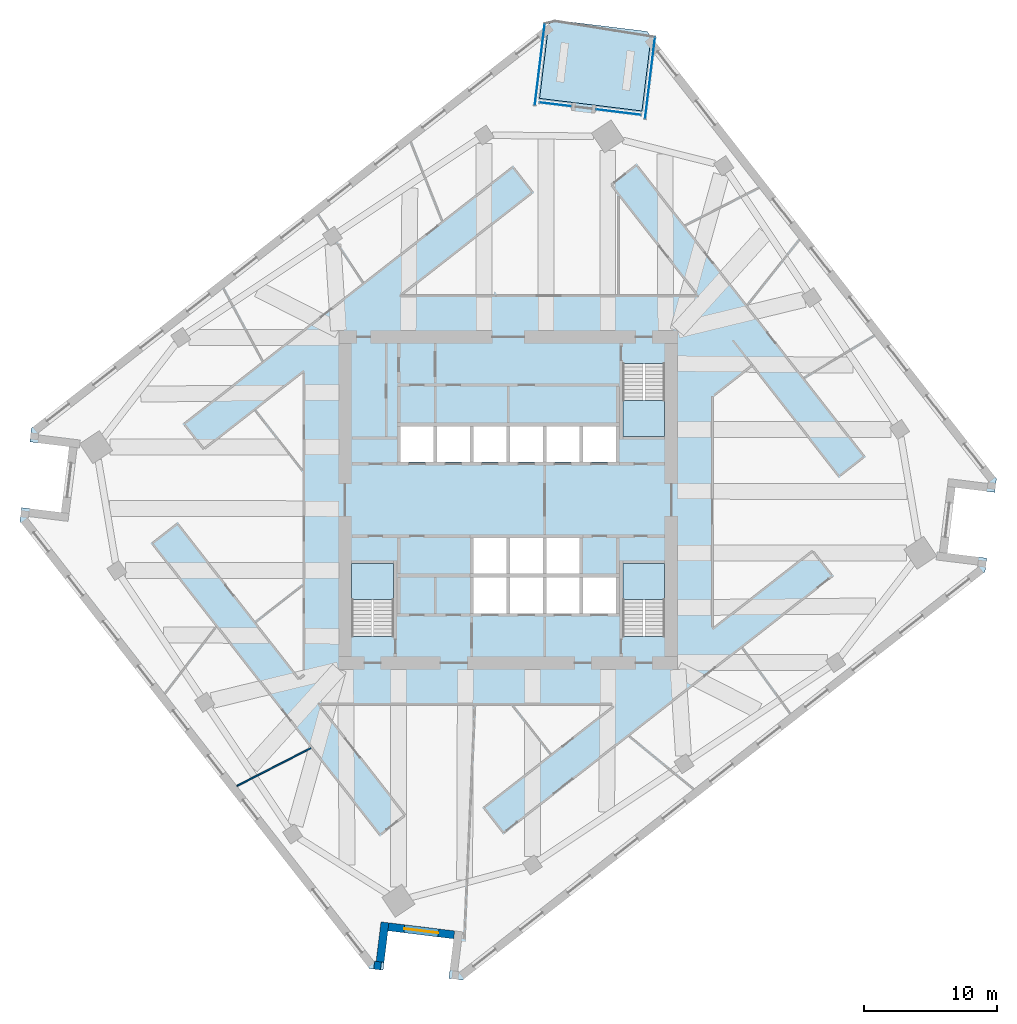
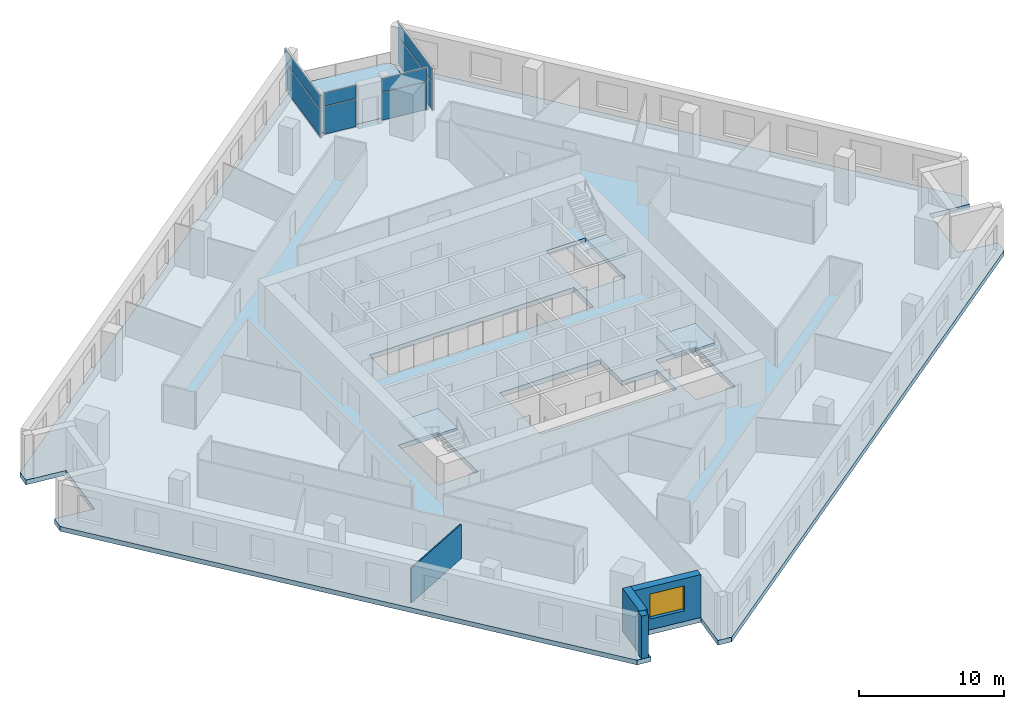
# One storey, part 3 of 11: 8 plates, 5 slabs, 4 walls, 1 window, 1 opening, 7 elements without a shape of their own.
"""IFC4 building model written with IfcOpenShell, lengths in metres."""

from ifc_helpers import new_model, si_unit, direction, frame, frame_2d, origin, origin_2d, place, context, subcontext, project, spatial, polyline, rectangle, outline, extrude, material, layer, layer_set, type_object, element, fill, aggregate, save


model = new_model("IFC4")

# Units and contexts
model_context = context("Model", 3, precision=1e-05, world=origin(), true_north=direction((0.0, 1.0)))
body_context = subcontext(model_context, "Body", "Model", "MODEL_VIEW")
ifc_project = project(units=[si_unit("LENGTHUNIT", "METRE"), si_unit("AREAUNIT", "SQUARE_METRE"), si_unit("VOLUMEUNIT", "CUBIC_METRE"), si_unit("PLANEANGLEUNIT", "RADIAN"), si_unit("MASSUNIT", "GRAM", prefix="KILO")], contexts=[model_context])

# Site, building, storey
site_placement = place(None, origin())
site = spatial("IfcSite", under=ifc_project, at=site_placement, CompositionType="ELEMENT")
building_placement = place(site_placement, origin())
building = spatial("IfcBuilding", under=site, at=building_placement, Name="Dilmun Exchange Tower", CompositionType="ELEMENT")
storey_placement = place(building_placement, frame((0.0, 0.0, 175.699951171875)))
storey = spatial("IfcBuildingStorey", under=building, at=storey_placement, Name="L41", CompositionType="ELEMENT", Elevation=175.699951171875)

# Stair, slab
ifc_material_1 = material(Name="Concrete C40/50", Category="concrete")
stair_type = type_object("IfcStairType", Name="Exit stair 1500 half-turn", PredefinedType="HALF_TURN_STAIR", material=ifc_material_1)
stair_1_placement = place(storey_placement, origin())
stair_1 = element("IfcStair", 1, at=stair_1_placement, inside=storey, type_object=stair_type, Name="L41 Protected exit stair ST1", PredefinedType="HALF_TURN_STAIR")
ifc_layer_1 = layer(ifc_material_1, 0.199951171875)
ifc_layer_set_1 = layer_set([ifc_layer_1], Name="Concrete C40/50")
slab_type_1 = type_object("IfcSlabType", Name="Exit stair landing 200", PredefinedType="LANDING", material=ifc_layer_set_1)
slab_1_placement = place(storey_placement, frame((0.0, 0.0, 1.800048828125)))
slab_1 = element("IfcSlab", 2, at=slab_1_placement, type_object=slab_type_1, Name="ST1 landing 1", PredefinedType="LANDING", context=body_context, shape_type="SweptSolid", body=[
    extrude(outline(polyline([(8.64990234375, 7.5), (8.64990234375, 4.800048828125), (11.800048828125, 4.800048828125), (11.800048828125, 7.5), (8.64990234375, 7.5)])), origin(), (0.0, 0.0, 1.0), 0.199951171875),
])
aggregate(stair_1, [slab_1])

stair_2_placement = place(storey_placement, origin())
stair_2 = element("IfcStair", 3, at=stair_2_placement, inside=storey, type_object=stair_type, Name="L41 Protected exit stair ST2", PredefinedType="HALF_TURN_STAIR")
slab_2_placement = place(storey_placement, frame((0.0, 0.0, 1.800048828125)))
slab_2 = element("IfcSlab", 4, at=slab_2_placement, type_object=slab_type_1, Name="ST2 landing 1", PredefinedType="LANDING", context=body_context, shape_type="SweptSolid", body=[
    extrude(outline(polyline([(-8.64990234375, -7.5), (-8.64990234375, -4.800048828125), (-11.800048828125, -4.800048828125), (-11.800048828125, -7.5), (-8.64990234375, -7.5)])), origin(), (0.0, 0.0, 1.0), 0.199951171875),
])
aggregate(stair_2, [slab_2])

stair_3_placement = place(storey_placement, origin())
stair_3 = element("IfcStair", 5, at=stair_3_placement, inside=storey, type_object=stair_type, Name="L41 Protected exit stair ST3", PredefinedType="HALF_TURN_STAIR")
slab_3_placement = place(storey_placement, frame((0.0, 0.0, 1.800048828125)))
slab_3 = element("IfcSlab", 6, at=slab_3_placement, type_object=slab_type_1, Name="ST3 landing 1", PredefinedType="LANDING", context=body_context, shape_type="SweptSolid", body=[
    extrude(outline(polyline([(11.800048828125, -7.5), (11.800048828125, -4.800048828125), (8.64990234375, -4.800048828125), (8.64990234375, -7.5), (11.800048828125, -7.5)])), origin(), (0.0, 0.0, 1.0), 0.199951171875),
])
aggregate(stair_3, [slab_3])

# Curtain wall, plates
ifc_material_2 = material(Name="Anodised aluminium and clear glass", Category="aluminium")
curtain_wall_type = type_object("IfcCurtainWallType", Name="Garden corner glazing", PredefinedType="NOTDEFINED", material=ifc_material_2)
curtain_wall_1_placement = place(storey_placement, origin())
curtain_wall_1 = element("IfcCurtainWall", 7, at=curtain_wall_1_placement, inside=storey, type_object=curtain_wall_type, Name="Garden corner glazing run GC1.1", PredefinedType="NOTDEFINED")
ifc_material_3 = material(Name="Clear glass", Category="glass")
ifc_layer_2 = layer(ifc_material_3, 0.028076171875)
ifc_layer_set_2 = layer_set([ifc_layer_2], Name="Clear glass")
plate_type = type_object("IfcPlateType", Name="Garden corner glazing glass panel 28", PredefinedType="CURTAIN_PANEL", material=ifc_layer_set_2)
plate_1_placement = place(storey_placement, frame((10.690185546875, 31.802734375, 0.06005859375), z_axis=(0.0, 0.0, 1.0), x_axis=(-0.121876913761, -0.992545222089, 0.0)))
plate_1 = element("IfcPlate", 8, at=plate_1_placement, type_object=plate_type, Name="GC1.1 panel 1.1", PredefinedType="CURTAIN_PANEL", context=body_context, shape_type="SweptSolid", body=[
    extrude(rectangle(XDim=6.12646484375, YDim=0.028076171875, at=origin_2d()), origin(), (0.0, 0.0, 1.0), 2.31005859375),
])
plate_2_placement = place(storey_placement, frame((10.690185546875, 31.802734375, 2.43017578125), z_axis=(0.0, 0.0, 1.0), x_axis=(-0.121876913761, -0.992545222089, 0.0)))
plate_2 = element("IfcPlate", 9, at=plate_2_placement, type_object=plate_type, Name="GC1.1 panel 1.2", PredefinedType="CURTAIN_PANEL", context=body_context, shape_type="SweptSolid", body=[
    extrude(rectangle(XDim=6.12646484375, YDim=0.028076171875, at=origin_2d()), origin(), (0.0, 0.0, 1.0), 1.110107421875),
])
aggregate(curtain_wall_1, [plate_1, plate_2])

curtain_wall_2_placement = place(storey_placement, origin())
curtain_wall_2 = element("IfcCurtainWall", 10, at=curtain_wall_2_placement, inside=storey, type_object=curtain_wall_type, Name="Garden corner glazing run GC2.1", PredefinedType="NOTDEFINED")
plate_3_placement = place(storey_placement, frame((8.316650390625, 29.249755859375, 0.06005859375), z_axis=(0.0, 0.0, 1.0), x_axis=(-0.992543211947, 0.121893282904, 0.0)))
plate_3 = element("IfcPlate", 11, at=plate_3_placement, type_object=plate_type, Name="GC2.1 panel 1.1", PredefinedType="CURTAIN_PANEL", context=body_context, shape_type="SweptSolid", body=[
    extrude(rectangle(XDim=3.369140625, YDim=0.028076171875, at=origin_2d()), origin(), (0.0, 0.0, 1.0), 2.31005859375),
])
plate_4_placement = place(storey_placement, frame((8.316650390625, 29.249755859375, 2.43017578125), z_axis=(0.0, 0.0, 1.0), x_axis=(-0.992543211947, 0.121893282904, 0.0)))
plate_4 = element("IfcPlate", 12, at=plate_4_placement, type_object=plate_type, Name="GC2.1 panel 1.2", PredefinedType="CURTAIN_PANEL", context=body_context, shape_type="SweptSolid", body=[
    extrude(rectangle(XDim=3.369140625, YDim=0.028076171875, at=origin_2d()), origin(), (0.0, 0.0, 1.0), 1.110107421875),
])
aggregate(curtain_wall_2, [plate_3, plate_4])

curtain_wall_3_placement = place(storey_placement, origin())
curtain_wall_3 = element("IfcCurtainWall", 13, at=curtain_wall_3_placement, inside=storey, type_object=curtain_wall_type, Name="Garden corner glazing run GC2.3", PredefinedType="NOTDEFINED")
plate_5_placement = place(storey_placement, frame((3.563232421875, 29.83349609375, 0.06005859375), z_axis=(0.0, 0.0, 1.0), x_axis=(-0.992543199455, 0.121893384625, 0.0)))
plate_5 = element("IfcPlate", 14, at=plate_5_placement, type_object=plate_type, Name="GC2.3 panel 1.1", PredefinedType="CURTAIN_PANEL", context=body_context, shape_type="SweptSolid", body=[
    extrude(rectangle(XDim=2.369140625, YDim=0.028076171875, at=origin_2d()), origin(), (0.0, 0.0, 1.0), 2.31005859375),
])
plate_6_placement = place(storey_placement, frame((3.563232421875, 29.83349609375, 2.43017578125), z_axis=(0.0, 0.0, 1.0), x_axis=(-0.992543199455, 0.121893384625, 0.0)))
plate_6 = element("IfcPlate", 15, at=plate_6_placement, type_object=plate_type, Name="GC2.3 panel 1.2", PredefinedType="CURTAIN_PANEL", context=body_context, shape_type="SweptSolid", body=[
    extrude(rectangle(XDim=2.369140625, YDim=0.028076171875, at=origin_2d()), origin(), (0.0, 0.0, 1.0), 1.110107421875),
])
aggregate(curtain_wall_3, [plate_5, plate_6])

curtain_wall_4_placement = place(storey_placement, origin())
curtain_wall_4 = element("IfcCurtainWall", 16, at=curtain_wall_4_placement, inside=storey, type_object=curtain_wall_type, Name="Garden corner glazing run GC3.1", PredefinedType="NOTDEFINED")
plate_7_placement = place(storey_placement, frame((2.37451171875, 32.82373046875, 0.06005859375), z_axis=(0.0, 0.0, 1.0), x_axis=(0.12186114246, 0.992547158556, 0.0)))
plate_7 = element("IfcPlate", 17, at=plate_7_placement, type_object=plate_type, Name="GC3.1 panel 1.1", PredefinedType="CURTAIN_PANEL", context=body_context, shape_type="SweptSolid", body=[
    extrude(rectangle(XDim=6.12646484375, YDim=0.028076171875, at=origin_2d()), origin(), (0.0, 0.0, 1.0), 2.31005859375),
])
plate_8_placement = place(storey_placement, frame((2.37451171875, 32.82373046875, 2.43017578125), z_axis=(0.0, 0.0, 1.0), x_axis=(0.12186114246, 0.992547158556, 0.0)))
plate_8 = element("IfcPlate", 18, at=plate_8_placement, type_object=plate_type, Name="GC3.1 panel 1.2", PredefinedType="CURTAIN_PANEL", context=body_context, shape_type="SweptSolid", body=[
    extrude(rectangle(XDim=6.12646484375, YDim=0.028076171875, at=origin_2d()), origin(), (0.0, 0.0, 1.0), 1.110107421875),
])
aggregate(curtain_wall_4, [plate_7, plate_8])

# Slabs
ifc_layer_3 = layer(ifc_material_1, 0.39990234375)
ifc_layer_set_3 = layer_set([ifc_layer_3], Name="Concrete C40/50")
slab_type_2 = type_object("IfcSlabType", Name="RC floor slab 400", PredefinedType="FLOOR", material=ifc_layer_set_3)
slab_4_placement = place(storey_placement, frame((0.0, 0.0, -0.39990234375)))
element("IfcSlab", 19, at=slab_4_placement, inside=storey, type_object=slab_type_2, Name="Floor slab", PredefinedType="FLOOR", context=body_context, shape_type="SweptSolid", body=[
    extrude(outline(polyline([(36.689208984375, 0.57861328125), (33.711669921875, 0.944091796875), (33.102294921875, -4.0185546875), (36.079833984375, -4.384033203125), (35.95361328125, -5.411865234375), (-3.44677734375, -36.195068359375), (-4.474609375, -36.06884765625), (-4.10888671875, -33.09130859375), (-9.07177734375, -32.481689453125), (-9.4375, -35.45947265625), (-10.465087890625, -35.333251953125), (-36.8154296875, -1.6064453125), (-36.689208984375, -0.57861328125), (-33.711669921875, -0.944091796875), (-33.102294921875, 4.0185546875), (-36.079833984375, 4.384033203125), (-35.95361328125, 5.411865234375), (3.052734375, 35.88720703125), (2.36474609375, 30.28271484375), (10.0849609375, 29.3349609375), (10.77294921875, 34.939208984375), (36.8154296875, 1.6064453125), (36.689208984375, 0.57861328125)]), holes=[polyline([(-8.64990234375, -4.800048828125), (-11.800048828125, -4.800048828125), (-11.800048828125, -10.294921875), (-8.64990234375, -10.294921875), (-8.64990234375, -4.800048828125)]), polyline([(11.800048828125, -4.800048828125), (8.64990234375, -4.800048828125), (8.64990234375, -10.294921875), (11.800048828125, -10.294921875), (11.800048828125, -4.800048828125)]), polyline([(5.375, -2.85009765625), (-2.625, -2.85009765625), (-2.625, -8.550048828125), (8.125, -8.550048828125), (8.125, -5.85009765625), (5.375, -5.85009765625), (5.375, -2.85009765625)]), polyline([(8.125, 2.85009765625), (8.125, 5.550048828125), (-8.125, 5.550048828125), (-8.125, 2.85009765625), (8.125, 2.85009765625)]), polyline([(8.64990234375, 10.294921875), (8.64990234375, 4.800048828125), (11.800048828125, 4.800048828125), (11.800048828125, 10.294921875), (8.64990234375, 10.294921875)])]), origin(), (0.0, 0.0, 1.0), 0.39990234375),
])
ifc_layer_4 = layer(ifc_material_1, 0.300048828125)
ifc_layer_set_4 = layer_set([ifc_layer_4], Name="Concrete C40/50")
slab_type_3 = type_object("IfcSlabType", Name="RC garden terrace slab 300", PredefinedType="FLOOR", material=ifc_layer_set_4)
slab_5_placement = place(storey_placement, frame((0.0, 0.0, -0.300048828125)))
element("IfcSlab", 20, at=slab_5_placement, inside=storey, type_object=slab_type_3, Name="Garden terrace slab", PredefinedType="FLOOR", context=body_context, shape_type="SweptSolid", body=[
    extrude(outline(polyline([(2.36474609375, 30.28271484375), (3.052734375, 35.88720703125), (3.44677734375, 36.195068359375), (10.465087890625, 35.333251953125), (10.77294921875, 34.939208984375), (10.0849609375, 29.3349609375), (2.36474609375, 30.28271484375)])), origin(), (0.0, 0.0, 1.0), 0.300048828125),
])

# Walls
ifc_material_4 = material(Name="Partition 100")
ifc_layer_5 = layer(ifc_material_4, 0.10009765625)
ifc_layer_set_5 = layer_set([ifc_layer_5], Name="Partition 100")
wall_type_1 = type_object("IfcWallType", Name="Partition 100", PredefinedType="PARTITIONING", material=ifc_layer_set_5)
wall_1_placement = place(storey_placement, frame((-20.460693359375, -21.561767578125, 0.0), z_axis=(0.0, 0.0, 1.0), x_axis=(0.890433278589, 0.455113805966, 0.0)))
element("IfcWall", 21, at=wall_1_placement, inside=storey, type_object=wall_type_1, Name="Partition", PredefinedType="PARTITIONING", context=body_context, shape_type="SweptSolid", body=[
    extrude(rectangle(XDim=6.265625, YDim=0.10009765625, at=frame_2d((3.1328125, 0.0))), origin(), (0.0, 0.0, 1.0), 2.900146484375),
])
ifc_material_5 = material(Name="Precast concrete C50/60", Category="concrete")
ifc_layer_6 = layer(ifc_material_5, 0.60009765625)
ifc_layer_set_6 = layer_set([ifc_layer_6], Name="Precast concrete C50/60")
wall_type_2 = type_object("IfcWallType", Name="Precast stone-clad wall 600", PredefinedType="STANDARD", material=ifc_layer_set_6)
wall_2_placement = place(storey_placement, frame((-10.106689453125, -35.074951171875, 0.0), z_axis=(0.0, 0.0, 1.0), x_axis=(0.992554603024, -0.121800492671, 0.0)))
element("IfcWall", 22, at=wall_2_placement, inside=storey, type_object=wall_type_2, Name="Facade wall L41-10", PredefinedType="STANDARD", context=body_context, shape_type="SweptSolid", body=[
    extrude(rectangle(XDim=0.51123046875, YDim=0.60009765625, at=frame_2d((0.255615234375, 0.0))), origin(), (0.0, 0.0, 1.0), 3.60009765625),
])
wall_3_placement = place(storey_placement, frame((-9.662109375, -34.827392578125, 0.0), z_axis=(0.0, 0.0, 1.0), x_axis=(0.121901146576, 0.992542246186, 0.0)))
element("IfcWall", 23, at=wall_3_placement, inside=storey, type_object=wall_type_2, Name="Facade wall L41-11", PredefinedType="STANDARD", context=body_context, shape_type="SweptSolid", body=[
    extrude(rectangle(XDim=3.000244140625, YDim=0.60009765625, at=frame_2d((1.5, 0.0))), origin(), (0.0, 0.0, 1.0), 3.60009765625),
])

# Wall, opening, window
wall_4_placement = place(storey_placement, frame((-9.03515625, -32.18408203125, 0.0), z_axis=(0.0, 0.0, 1.0), x_axis=(0.992545217041, -0.121876954874, 0.0)))
wall_4 = element("IfcWall", 24, at=wall_4_placement, inside=storey, type_object=wall_type_2, Name="Facade wall L41-12", PredefinedType="STANDARD", context=body_context, shape_type="SweptSolid", body=[
    extrude(rectangle(XDim=5.0, YDim=0.60009765625, at=frame_2d((2.5, 0.0))), origin(), (0.0, 0.0, 1.0), 3.60009765625),
])
opening_placement = place(wall_4_placement, frame((1.199951171875, 0.0, 0.89990234375)))
opening = element("IfcOpeningElement", 25, at=opening_placement, cuts=wall_4, Name="Opening W260-210", PredefinedType="OPENING", context=body_context, shape_type="SweptSolid", body=[
    extrude(rectangle(XDim=2.60009765625, YDim=2.10009765625, at=frame_2d((1.300048828125, 1.050048828125))), frame((0.0, 0.31005859375, 0.0), z_axis=(0.0, -1.0, 0.0), x_axis=(1.0, 0.0, 0.0)), (0.0, 0.0, 1.0), 0.6201171875),
])
ifc_material_6 = material(Name="Clear low-emissivity glass in aluminium frame", Category="aluminium")
window_type = type_object("IfcWindowType", Name="Punched window 2600 x 2100", PartitioningType="DOUBLE_PANEL_VERTICAL", PredefinedType="WINDOW", material=ifc_material_6)
window_placement = place(opening_placement, origin())
window = element("IfcWindow", 26, at=window_placement, inside=storey, type_object=window_type, Name="Window 13.1", OverallHeight=2.10009765625, OverallWidth=2.60009765625, PartitioningType="SINGLE_PANEL", PredefinedType="WINDOW", context=body_context, shape_type="SweptSolid", body=[
    extrude(rectangle(XDim=2.60009765625, YDim=2.10009765625, at=frame_2d((1.300048828125, 1.050048828125))), frame((0.0, 0.030029296875, 0.0), z_axis=(0.0, -1.0, 0.0), x_axis=(1.0, 0.0, 0.0)), (0.0, 0.0, 1.0), 0.06005859375),
])
fill(opening, window)

save(model, "model.ifc")
